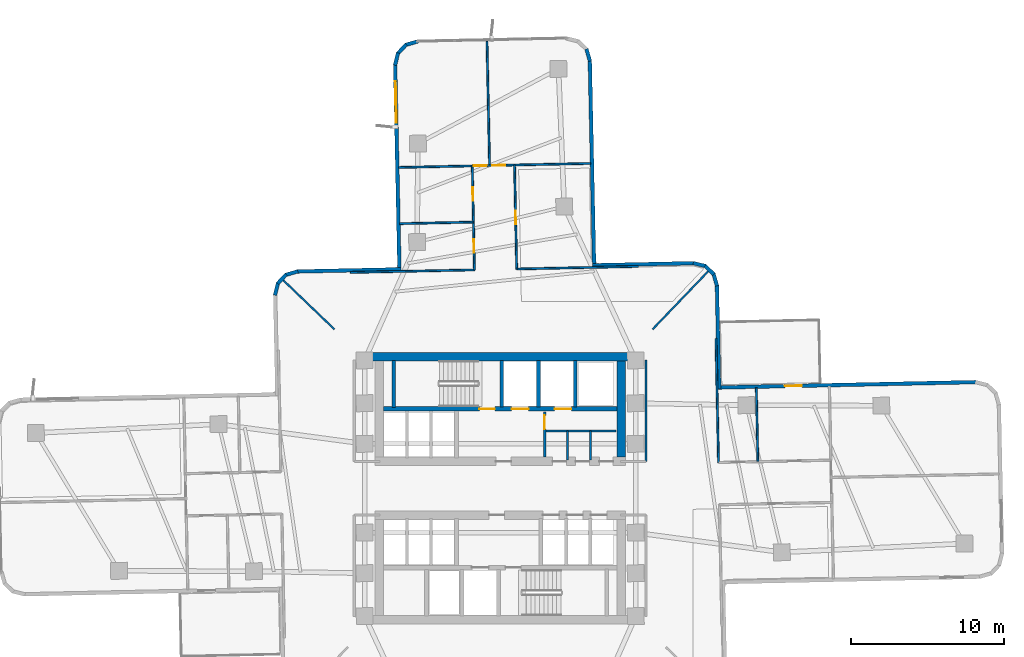
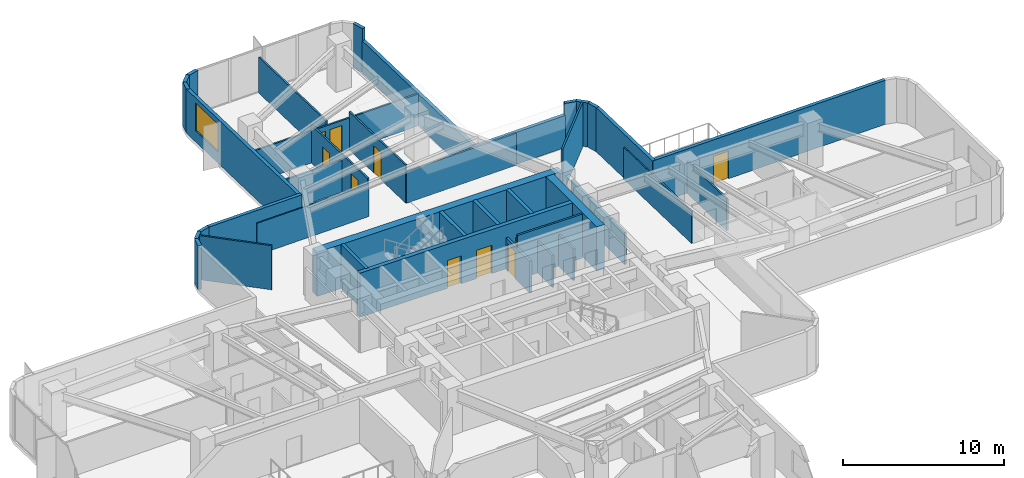
# One storey, part 10 of 15: 39 walls, 10 doors, 1 window, 11 openings.
"""IFC4 building model written with IfcOpenShell, lengths in metres."""

from ifc_helpers import new_model, si_unit, direction, frame, frame_2d, origin, place, context, subcontext, project, spatial, rectangle, extrude, material, layer, layer_set, type_object, element, fill, save


model = new_model("IFC4")

# Units and contexts
model_context = context("Model", 3, precision=1e-05, world=origin(), true_north=direction((0.0, 1.0)))
body_context = subcontext(model_context, "Body", "Model", "MODEL_VIEW")
ifc_project = project(units=[si_unit("LENGTHUNIT", "METRE"), si_unit("AREAUNIT", "SQUARE_METRE"), si_unit("VOLUMEUNIT", "CUBIC_METRE"), si_unit("PLANEANGLEUNIT", "RADIAN"), si_unit("MASSUNIT", "GRAM", prefix="KILO")], contexts=[model_context])

# Site, building, storey
site_placement = place(None, origin())
site = spatial("IfcSite", under=ifc_project, at=site_placement, CompositionType="ELEMENT")
building_placement = place(site_placement, origin())
building = spatial("IfcBuilding", under=site, at=building_placement, Name="Solmarez Civic Tower", CompositionType="ELEMENT")
storey_placement = place(building_placement, frame((0.0, 0.0, 38.8798828125)))
storey = spatial("IfcBuildingStorey", under=building, at=storey_placement, Name="L09", CompositionType="ELEMENT", Elevation=38.8798828125)

# Walls
ifc_material_1 = material(Name="Concrete C60/75", Category="concrete")
ifc_layer_1 = layer(ifc_material_1, 0.550048828125)
ifc_layer_set_1 = layer_set([ifc_layer_1], Name="Concrete C60/75")
wall_type_1 = type_object("IfcWallType", Name="WALL-CORE-550", PredefinedType="SHEAR", material=ifc_layer_set_1)
wall_1_placement = place(storey_placement, frame((-8.780029296875, 8.5849609375, 0.0), z_axis=(0.0, 0.0, 1.0), x_axis=(1.0, 0.0, 0.0)))
element("IfcWall", 1, at=wall_1_placement, inside=storey, type_object=wall_type_1, Name="L09 Split-Core Structural Wall NCW-N-L09", PredefinedType="SHEAR", context=body_context, shape_type="SweptSolid", body=[
    extrude(rectangle(XDim=17.56005859375, YDim=0.550048828125, at=frame_2d((8.780029296875, 0.0))), origin(), (0.0, 0.0, 1.0), 3.340087890625),
])
wall_2_placement = place(storey_placement, frame((7.89501953125, 8.31005859375, 0.0), z_axis=(0.0, 0.0, 1.0), x_axis=(0.0, -1.0, 0.0)))
element("IfcWall", 2, at=wall_2_placement, inside=storey, type_object=wall_type_1, Name="L09 Split-Core Structural Wall NCW-E-L09", PredefinedType="SHEAR", context=body_context, shape_type="SweptSolid", body=[
    extrude(rectangle(XDim=6.28515625, YDim=0.550048828125, at=frame_2d((3.142578125, 0.0))), origin(), (0.0, 0.0, 1.0), 3.340087890625),
])
ifc_material_2 = material(Name="Precast concrete C40/50", Category="concrete")
ifc_layer_2 = layer(ifc_material_2, 0.239990234375)
ifc_layer_set_2 = layer_set([ifc_layer_2], Name="Precast concrete C40/50")
wall_type_2 = type_object("IfcWallType", Name="WALL-EXT-240", PredefinedType="SOLIDWALL", material=ifc_layer_set_2)
wall_3_placement = place(storey_placement, frame((-14.7041015625, 12.60498046875, 0.0), z_axis=(0.0, 0.0, 1.0), x_axis=(0.238588013371, 0.971120878097, 0.0)))
element("IfcWall", 3, at=wall_3_placement, inside=storey, type_object=wall_type_2, Name="L09 Exterior Precast Wall 14", PredefinedType="SOLIDWALL", context=body_context, shape_type="SweptSolid", body=[
    extrude(rectangle(XDim=0.829833984375, YDim=0.239990234375, at=frame_2d((0.4150390625, 0.0))), origin(), (0.0, 0.0, 1.0), 3.340087890625),
])
wall_4_placement = place(storey_placement, frame((-14.529052734375, 13.368896484375, 0.0), z_axis=(0.0, 0.0, 1.0), x_axis=(0.692094379202, 0.721807017337, 0.0)))
element("IfcWall", 4, at=wall_4_placement, inside=storey, type_object=wall_type_2, Name="L09 Exterior Precast Wall 15", PredefinedType="SOLIDWALL", context=body_context, shape_type="SweptSolid", body=[
    extrude(rectangle(XDim=0.8134765625, YDim=0.239990234375, at=frame_2d((0.40673828125, 0.0))), origin(), (0.0, 0.0, 1.0), 3.340087890625),
])
wall_5_placement = place(storey_placement, frame((-14.007080078125, 13.930908203125, 0.0), z_axis=(0.0, 0.0, 1.0), x_axis=(0.960102033401, 0.279649933772, 0.0)))
element("IfcWall", 5, at=wall_5_placement, inside=storey, type_object=wall_type_2, Name="L09 Exterior Precast Wall 16", PredefinedType="SOLIDWALL", context=body_context, shape_type="SweptSolid", body=[
    extrude(rectangle(XDim=0.830322265625, YDim=0.239990234375, at=frame_2d((0.4150390625, 0.0))), origin(), (0.0, 0.0, 1.0), 3.340087890625),
])
wall_6_placement = place(storey_placement, frame((-13.259033203125, 14.155029296875, 0.0), z_axis=(0.0, 0.0, 1.0), x_axis=(0.999777124284, 0.021111649844, 0.0)))
element("IfcWall", 6, at=wall_6_placement, inside=storey, type_object=wall_type_2, Name="L09 Exterior Precast Wall 17", PredefinedType="SOLIDWALL", context=body_context, shape_type="SweptSolid", body=[
    extrude(rectangle(XDim=6.776611328125, YDim=0.239990234375, at=frame_2d((3.38818359375, 0.0))), origin(), (0.0, 0.0, 1.0), 3.340087890625),
])

# Wall, opening, window
wall_7_placement = place(storey_placement, frame((-6.577880859375, 14.199951171875, 0.0), z_axis=(0.0, 0.0, 1.0), x_axis=(-0.021016704444, 0.999779124674, 0.0)))
wall_7 = element("IfcWall", 7, at=wall_7_placement, inside=storey, type_object=wall_type_2, Name="L09 Exterior Precast Wall 20", PredefinedType="SOLIDWALL", context=body_context, shape_type="SweptSolid", body=[
    extrude(rectangle(XDim=13.47509765625, YDim=0.239990234375, at=frame_2d((6.737548828125, 0.0))), origin(), (0.0, 0.0, 1.0), 3.340087890625),
])
opening_1_placement = place(wall_7_placement, frame((9.675048828125, 0.0, 0.85009765625)))
opening_1 = element("IfcOpeningElement", 8, at=opening_1_placement, cuts=wall_7, Name="Opening W-01", PredefinedType="OPENING", context=body_context, shape_type="SweptSolid", body=[
    extrude(rectangle(XDim=2.699951171875, YDim=2.10009765625, at=frame_2d((1.35009765625, 1.050048828125))), frame((0.0, 0.1298828125, 0.0), z_axis=(0.0, -1.0, 0.0), x_axis=(1.0, 0.0, 0.0)), (0.0, 0.0, 1.0), 0.260009765625),
])
ifc_material_3 = material(Name="Solar Control Bronze-Tinted Insulating Glass", Category="glass")
window_type = type_object("IfcWindowType", Name="WIN-2700X2100", PartitioningType="SINGLE_PANEL", PredefinedType="WINDOW", material=ifc_material_3)
window_placement = place(opening_1_placement, origin())
window = element("IfcWindow", 9, at=window_placement, inside=storey, type_object=window_type, Name="L09 Exterior Facade Window 20", OverallHeight=2.10009765625, OverallWidth=2.699951171875, PartitioningType="SINGLE_PANEL", PredefinedType="WINDOW", context=body_context, shape_type="SweptSolid", body=[
    extrude(rectangle(XDim=2.699951171875, YDim=2.10009765625, at=frame_2d((1.35009765625, 1.050048828125))), frame((0.0, 0.030029296875, 0.0), z_axis=(0.0, -1.0, 0.0), x_axis=(1.0, 0.0, 0.0)), (0.0, 0.0, 1.0), 0.06005859375),
])
fill(opening_1, window)

# Walls
wall_8_placement = place(storey_placement, frame((-6.865966796875, 27.623046875, 0.0), z_axis=(0.0, 0.0, 1.0), x_axis=(0.238860968489, 0.971053776952, 0.0)))
element("IfcWall", 10, at=wall_8_placement, inside=storey, type_object=wall_type_2, Name="L09 Exterior Precast Wall 21", PredefinedType="SOLIDWALL", context=body_context, shape_type="SweptSolid", body=[
    extrude(rectangle(XDim=0.828857421875, YDim=0.239990234375, at=frame_2d((0.41455078125, 0.0))), origin(), (0.0, 0.0, 1.0), 3.340087890625),
])
wall_9_placement = place(storey_placement, frame((-6.69091796875, 28.385986328125, 0.0), z_axis=(0.0, 0.0, 1.0), x_axis=(0.690868229845, 0.722980697523, 0.0)))
element("IfcWall", 11, at=wall_9_placement, inside=storey, type_object=wall_type_2, Name="L09 Exterior Precast Wall 22", PredefinedType="SOLIDWALL", context=body_context, shape_type="SweptSolid", body=[
    extrude(rectangle(XDim=0.8134765625, YDim=0.239990234375, at=frame_2d((0.40673828125, 0.0))), origin(), (0.0, 0.0, 1.0), 3.340087890625),
])
wall_10_placement = place(storey_placement, frame((-6.169921875, 28.948974609375, 0.0), z_axis=(0.0, 0.0, 1.0), x_axis=(0.960564264415, 0.278058076541, 0.0)))
element("IfcWall", 12, at=wall_10_placement, inside=storey, type_object=wall_type_2, Name="L09 Exterior Precast Wall 23", PredefinedType="SOLIDWALL", context=body_context, shape_type="SweptSolid", body=[
    extrude(rectangle(XDim=0.83056640625, YDim=0.239990234375, at=frame_2d((0.415283203125, 0.0))), origin(), (0.0, 0.0, 1.0), 3.340087890625),
])
wall_11_placement = place(storey_placement, frame((5.632080078125, 28.68603515625, 0.0), z_axis=(0.0, 0.0, 1.0), x_axis=(0.279378838128, -0.960180954199, 0.0)))
element("IfcWall", 13, at=wall_11_placement, inside=storey, type_object=wall_type_2, Name="L09 Exterior Precast Wall 27", PredefinedType="SOLIDWALL", context=body_context, shape_type="SweptSolid", body=[
    extrude(rectangle(XDim=0.830078125, YDim=0.239990234375, at=frame_2d((0.4150390625, 0.0))), origin(), (0.0, 0.0, 1.0), 3.340087890625),
])
wall_12_placement = place(storey_placement, frame((5.85595703125, 27.93798828125, 0.0), z_axis=(0.0, 0.0, 1.0), x_axis=(0.020997453553, -0.999779529168, 0.0)))
element("IfcWall", 14, at=wall_12_placement, inside=storey, type_object=wall_type_2, Name="L09 Exterior Precast Wall 28", PredefinedType="SOLIDWALL", context=body_context, shape_type="SweptSolid", body=[
    extrude(rectangle(XDim=13.475830078125, YDim=0.239990234375, at=frame_2d((6.73779296875, 0.0))), origin(), (0.0, 0.0, 1.0), 2.421142578125),
])
wall_13_placement = place(storey_placement, frame((6.041015625, 14.55908203125, 0.0), z_axis=(0.0, 0.0, 1.0), x_axis=(0.999776327957, 0.021149327571, 0.0)))
element("IfcWall", 15, at=wall_13_placement, inside=storey, type_object=wall_type_2, Name="L09 Exterior Precast Wall 31", PredefinedType="SOLIDWALL", context=body_context, shape_type="SweptSolid", body=[
    extrude(rectangle(XDim=6.614501953125, YDim=0.239990234375, at=frame_2d((3.30712890625, 0.0))), origin(), (0.0, 0.0, 1.0), 2.421142578125),
])
wall_14_placement = place(storey_placement, frame((12.60498046875, 14.7041015625, 0.0), z_axis=(0.0, 0.0, 1.0), x_axis=(0.971120878097, -0.238588013371, 0.0)))
element("IfcWall", 16, at=wall_14_placement, inside=storey, type_object=wall_type_2, Name="L09 Exterior Precast Wall 32", PredefinedType="SOLIDWALL", context=body_context, shape_type="SweptSolid", body=[
    extrude(rectangle(XDim=0.829833984375, YDim=0.239990234375, at=frame_2d((0.4150390625, 0.0))), origin(), (0.0, 0.0, 1.0), 3.340087890625),
])
wall_15_placement = place(storey_placement, frame((13.368896484375, 14.529052734375, 0.0), z_axis=(0.0, 0.0, 1.0), x_axis=(0.721807017337, -0.692094379202, 0.0)))
element("IfcWall", 17, at=wall_15_placement, inside=storey, type_object=wall_type_2, Name="L09 Exterior Precast Wall 33", PredefinedType="SOLIDWALL", context=body_context, shape_type="SweptSolid", body=[
    extrude(rectangle(XDim=0.8134765625, YDim=0.239990234375, at=frame_2d((0.40673828125, 0.0))), origin(), (0.0, 0.0, 1.0), 3.340087890625),
])
wall_16_placement = place(storey_placement, frame((13.930908203125, 14.007080078125, 0.0), z_axis=(0.0, 0.0, 1.0), x_axis=(0.279649933772, -0.960102033401, 0.0)))
element("IfcWall", 18, at=wall_16_placement, inside=storey, type_object=wall_type_2, Name="L09 Exterior Precast Wall 34", PredefinedType="SOLIDWALL", context=body_context, shape_type="SweptSolid", body=[
    extrude(rectangle(XDim=0.830322265625, YDim=0.239990234375, at=frame_2d((0.4150390625, 0.0))), origin(), (0.0, 0.0, 1.0), 3.340087890625),
])
wall_17_placement = place(storey_placement, frame((14.155029296875, 13.259033203125, 0.0), z_axis=(0.0, 0.0, 1.0), x_axis=(0.021111649844, -0.999777124284, 0.0)))
element("IfcWall", 19, at=wall_17_placement, inside=storey, type_object=wall_type_2, Name="L09 Exterior Precast Wall 35", PredefinedType="SOLIDWALL", context=body_context, shape_type="SweptSolid", body=[
    extrude(rectangle(XDim=6.776611328125, YDim=0.239990234375, at=frame_2d((3.38818359375, 0.0))), origin(), (0.0, 0.0, 1.0), 3.340087890625),
])

# Wall, opening, door
wall_18_placement = place(storey_placement, frame((14.199951171875, 6.577880859375, 0.0), z_axis=(0.0, 0.0, 1.0), x_axis=(0.999778412505, 0.021050555542, 0.0)))
wall_18 = element("IfcWall", 20, at=wall_18_placement, inside=storey, type_object=wall_type_2, Name="L09 Exterior Precast Wall 38", PredefinedType="SOLIDWALL", context=body_context, shape_type="SweptSolid", body=[
    extrude(rectangle(XDim=16.874755859375, YDim=0.239990234375, at=frame_2d((8.4375, 0.0))), origin(), (0.0, 0.0, 1.0), 3.340087890625),
])
opening_2_placement = place(wall_18_placement, frame((4.39990234375, 0.0, 0.0)))
opening_2 = element("IfcOpeningElement", 21, at=opening_2_placement, cuts=wall_18, Name="Opening D-06", PredefinedType="OPENING", context=body_context, shape_type="SweptSolid", body=[
    extrude(rectangle(XDim=1.10009765625, YDim=2.10009765625, at=frame_2d((0.550048828125, 1.050048828125))), frame((0.0, 0.1298828125, 0.0), z_axis=(0.0, -1.0, 0.0), x_axis=(1.0, 0.0, 0.0)), (0.0, 0.0, 1.0), 0.260009765625),
])
ifc_material_4 = material(Name="Bronze Anodised Aluminium Glazed Terrace Door", Category="aluminium")
door_type_1 = type_object("IfcDoorType", Name="DOOR-TERR-1100", OperationType="NOTDEFINED", PredefinedType="DOOR", material=ifc_material_4)
door_1_placement = place(opening_2_placement, origin())
door_1 = element("IfcDoor", 22, at=door_1_placement, inside=storey, type_object=door_type_1, Name="L09 Outdoor Terrace Glazed Door", OperationType="SINGLE_SWING_RIGHT", OverallHeight=2.10009765625, OverallWidth=1.10009765625, PredefinedType="DOOR", context=body_context, shape_type="SweptSolid", body=[
    extrude(rectangle(XDim=1.10009765625, YDim=2.10009765625, at=frame_2d((0.550048828125, 1.050048828125))), frame((0.0, 0.02490234375, 0.0), z_axis=(0.0, -1.0, 0.0), x_axis=(1.0, 0.0, 0.0)), (0.0, 0.0, 1.0), 0.050048828125),
])
fill(opening_2, door_1)

# Walls
ifc_material_5 = material(Name="Gypsum Board Acoustic Steel-Stud Partition", Category="steel")
ifc_layer_3 = layer(ifc_material_5, 0.14990234375)
ifc_layer_set_3 = layer_set([ifc_layer_3], Name="Gypsum Board Acoustic Steel-Stud Partition")
wall_type_3 = type_object("IfcWallType", Name="WALL-INT-FIRE-150", PredefinedType="PARTITIONING", material=ifc_layer_set_3)
wall_19_placement = place(storey_placement, frame((9.52001953125, 1.75, 0.0), z_axis=(0.0, 0.0, 1.0), x_axis=(0.0, 1.0, 0.0)))
element("IfcWall", 23, at=wall_19_placement, inside=storey, type_object=wall_type_3, Name="L09 Interior Partition CHW-L09-EN1", PredefinedType="PARTITIONING", context=body_context, shape_type="SweptSolid", body=[
    extrude(rectangle(XDim=6.6298828125, YDim=0.14990234375, at=frame_2d((3.31494140625, 0.0))), origin(), (0.0, 0.0, 1.0), 2.421142578125),
])
ifc_layer_4 = layer(ifc_material_5, 0.1201171875)
ifc_layer_set_4 = layer_set([ifc_layer_4], Name="Gypsum Board Acoustic Steel-Stud Partition")
wall_type_4 = type_object("IfcWallType", Name="WALL-INT-PART-120", PredefinedType="PARTITIONING", material=ifc_layer_set_4)
wall_20_placement = place(storey_placement, frame((9.9541015625, 10.3798828125, 0.0), z_axis=(0.0, 0.0, 1.0), x_axis=(0.692136602063, 0.721766530178, 0.0)))
element("IfcWall", 24, at=wall_20_placement, inside=storey, type_object=wall_type_4, Name="L09 Interior Partition PT-L09-QDIV-1", PredefinedType="PARTITIONING", context=body_context, shape_type="SweptSolid", body=[
    extrude(rectangle(XDim=5.2734375, YDim=0.1201171875, at=frame_2d((2.63671875, 0.0))), origin(), (0.0, 0.0, 1.0), 3.340087890625),
])
wall_21_placement = place(storey_placement, frame((-10.823974609375, 10.3798828125, 0.0), z_axis=(0.0, 0.0, 1.0), x_axis=(-0.721757981693, 0.692145516392, 0.0)))
element("IfcWall", 25, at=wall_21_placement, inside=storey, type_object=wall_type_4, Name="L09 Interior Partition PT-L09-QDIV-2", PredefinedType="PARTITIONING", context=body_context, shape_type="SweptSolid", body=[
    extrude(rectangle(XDim=4.658203125, YDim=0.1201171875, at=frame_2d((2.3291015625, 0.0))), origin(), (0.0, 0.0, 1.0), 3.340087890625),
])
wall_22_placement = place(storey_placement, frame((14.258056640625, 1.6689453125, 0.0), z_axis=(0.0, 0.0, 1.0), x_axis=(-0.020831948152, 0.999782991422, 0.0)))
element("IfcWall", 26, at=wall_22_placement, inside=storey, type_object=wall_type_4, Name="L09 Interior Partition PT-L09-E-EFL", PredefinedType="PARTITIONING", context=body_context, shape_type="SweptSolid", body=[
    extrude(rectangle(XDim=8.10986328125, YDim=0.1201171875, at=frame_2d((4.054931640625, 0.0))), origin(), (0.0, 0.0, 1.0), 2.421142578125),
])
wall_23_placement = place(storey_placement, frame((16.826904296875, 1.7529296875, 0.0), z_axis=(0.0, 0.0, 1.0), x_axis=(-0.021027075848, 0.999778906599, 0.0)))
element("IfcWall", 27, at=wall_23_placement, inside=storey, type_object=wall_type_4, Name="L09 Interior Partition PT-L09-E-LM", PredefinedType="PARTITIONING", context=body_context, shape_type="SweptSolid", body=[
    extrude(rectangle(XDim=4.795166015625, YDim=0.1201171875, at=frame_2d((2.3974609375, 0.0))), origin(), (0.0, 0.0, 1.0), 2.421142578125),
])
wall_24_placement = place(storey_placement, frame((-1.6689453125, 14.258056640625, 0.0), z_axis=(0.0, 0.0, 1.0), x_axis=(-0.999782991422, -0.020831948152, 0.0)))
element("IfcWall", 28, at=wall_24_placement, inside=storey, type_object=wall_type_4, Name="L09 Interior Partition PT-L09-N-EFL", PredefinedType="PARTITIONING", context=body_context, shape_type="SweptSolid", body=[
    extrude(rectangle(XDim=8.10986328125, YDim=0.1201171875, at=frame_2d((4.054931640625, 0.0))), origin(), (0.0, 0.0, 1.0), 2.421142578125),
])
wall_25_placement = place(storey_placement, frame((9.01806640625, 14.48193359375, 0.0), z_axis=(0.0, 0.0, 1.0), x_axis=(-0.999781922757, -0.020883173321, 0.0)))
element("IfcWall", 29, at=wall_25_placement, inside=storey, type_object=wall_type_4, Name="L09 Interior Partition PT-L09-N-EFR", PredefinedType="PARTITIONING", context=body_context, shape_type="SweptSolid", body=[
    extrude(rectangle(XDim=7.94970703125, YDim=0.1201171875, at=frame_2d((3.974853515625, 0.0))), origin(), (0.0, 0.0, 1.0), 2.421142578125),
])
wall_26_placement = place(storey_placement, frame((-1.763916015625, 17.376953125, 0.0), z_axis=(0.0, 0.0, 1.0), x_axis=(-0.99977783499, -0.021077966272, 0.0)))
element("IfcWall", 30, at=wall_26_placement, inside=storey, type_object=wall_type_4, Name="L09 Interior Partition PT-L09-N-LM", PredefinedType="PARTITIONING", context=body_context, shape_type="SweptSolid", body=[
    extrude(rectangle(XDim=4.795166015625, YDim=0.1201171875, at=frame_2d((2.3974609375, 0.0))), origin(), (0.0, 0.0, 1.0), 2.421142578125),
])

# Wall, openings, doors
wall_27_placement = place(storey_placement, frame((-1.821044921875, 21.0458984375, 0.0), z_axis=(0.0, 0.0, 1.0), x_axis=(0.020928408033, -0.999780976883, 0.0)))
wall_27 = element("IfcWall", 31, at=wall_27_placement, inside=storey, type_object=wall_type_4, Name="L09 Interior Partition PT-L09-N-SL", PredefinedType="PARTITIONING", context=body_context, shape_type="SweptSolid", body=[
    extrude(rectangle(XDim=6.789306640625, YDim=0.1201171875, at=frame_2d((3.39453125, 0.0))), origin(), (0.0, 0.0, 1.0), 2.869140625),
])
opening_3_placement = place(wall_27_placement, frame((4.799072265625, 0.0, 0.0)))
opening_3 = element("IfcOpeningElement", 32, at=opening_3_placement, cuts=wall_27, Name="Opening D-14", PredefinedType="OPENING", context=body_context, shape_type="SweptSolid", body=[
    extrude(rectangle(XDim=0.860107421875, YDim=2.0400390625, at=frame_2d((0.43017578125, 1.02001953125))), frame((0.0, 0.070068359375, 0.0), z_axis=(0.0, -1.0, 0.0), x_axis=(1.0, 0.0, 0.0)), (0.0, 0.0, 1.0), 0.14013671875),
])
opening_4_placement = place(wall_27_placement, frame((1.404052734375, 0.0, 0.0)))
opening_4 = element("IfcOpeningElement", 33, at=opening_4_placement, cuts=wall_27, Name="Opening D-14", PredefinedType="OPENING", context=body_context, shape_type="SweptSolid", body=[
    extrude(rectangle(XDim=0.860107421875, YDim=2.0400390625, at=frame_2d((0.43017578125, 1.02001953125))), frame((0.0, 0.070068359375, 0.0), z_axis=(0.0, -1.0, 0.0), x_axis=(1.0, 0.0, 0.0)), (0.0, 0.0, 1.0), 0.14013671875),
])
ifc_material_6 = material(Name="Timber Storage and Pantry Door", Category="wood")
door_type_2 = type_object("IfcDoorType", Name="DOOR-INT-850", OperationType="NOTDEFINED", PredefinedType="DOOR", material=ifc_material_6)
door_2_placement = place(opening_3_placement, origin())
door_2 = element("IfcDoor", 34, at=door_2_placement, inside=storey, type_object=door_type_2, Name="L09 Civic Training Classroom First North Door", OperationType="SINGLE_SWING_LEFT", OverallHeight=2.0400390625, OverallWidth=0.860107421875, PredefinedType="DOOR", context=body_context, shape_type="SweptSolid", body=[
    extrude(rectangle(XDim=0.860107421875, YDim=2.0400390625, at=frame_2d((0.43017578125, 1.02001953125))), frame((0.0, 0.02490234375, 0.0), z_axis=(0.0, -1.0, 0.0), x_axis=(1.0, 0.0, 0.0)), (0.0, 0.0, 1.0), 0.050048828125),
])
fill(opening_3, door_2)
door_3_placement = place(opening_4_placement, origin())
door_3 = element("IfcDoor", 35, at=door_3_placement, inside=storey, type_object=door_type_2, Name="L09 Delegates Sitting Lounge Second North Door", OperationType="SINGLE_SWING_RIGHT", OverallHeight=2.0400390625, OverallWidth=0.860107421875, PredefinedType="DOOR", context=body_context, shape_type="SweptSolid", body=[
    extrude(rectangle(XDim=0.860107421875, YDim=2.0400390625, at=frame_2d((0.43017578125, 1.02001953125))), frame((0.0, 0.02490234375, 0.0), z_axis=(0.0, -1.0, 0.0), x_axis=(1.0, 0.0, 0.0)), (0.0, 0.0, 1.0), 0.050048828125),
])
fill(opening_4, door_3)

# Wall, opening, door
wall_28_placement = place(storey_placement, frame((1.080078125, 14.31591796875, 0.0), z_axis=(0.0, 0.0, 1.0), x_axis=(-0.020927655651, 0.999780992632, 0.0)))
wall_28 = element("IfcWall", 36, at=wall_28_placement, inside=storey, type_object=wall_type_4, Name="L09 Interior Partition PT-L09-N-SR", PredefinedType="PARTITIONING", context=body_context, shape_type="SweptSolid", body=[
    extrude(rectangle(XDim=6.78955078125, YDim=0.1201171875, at=frame_2d((3.394775390625, 0.0))), origin(), (0.0, 0.0, 1.0), 2.869140625),
])
opening_5_placement = place(wall_28_placement, frame((2.9150390625, 0.0, 0.0)))
opening_5 = element("IfcOpeningElement", 37, at=opening_5_placement, cuts=wall_28, Name="Opening D-08", PredefinedType="OPENING", context=body_context, shape_type="SweptSolid", body=[
    extrude(rectangle(XDim=0.89990234375, YDim=2.06005859375, at=frame_2d((0.449951171875, 1.030029296875))), frame((0.0, 0.070068359375, 0.0), z_axis=(0.0, -1.0, 0.0), x_axis=(1.0, 0.0, 0.0)), (0.0, 0.0, 1.0), 0.14013671875),
])
ifc_material_7 = material(Name="Solid-Core Timber Office Door", Category="wood")
door_type_3 = type_object("IfcDoorType", Name="DOOR-INT-900", OperationType="NOTDEFINED", PredefinedType="DOOR", material=ifc_material_7)
door_4_placement = place(opening_5_placement, origin())
door_4 = element("IfcDoor", 38, at=door_4_placement, inside=storey, type_object=door_type_3, Name="L09 Public Reception Room Third North Door", OperationType="SINGLE_SWING_RIGHT", OverallHeight=2.06005859375, OverallWidth=0.89990234375, PredefinedType="DOOR", context=body_context, shape_type="SweptSolid", body=[
    extrude(rectangle(XDim=0.89990234375, YDim=2.06005859375, at=frame_2d((0.449951171875, 1.030029296875))), frame((0.0, 0.02490234375, 0.0), z_axis=(0.0, -1.0, 0.0), x_axis=(1.0, 0.0, 0.0)), (0.0, 0.0, 1.0), 0.050048828125),
])
fill(opening_5, door_4)

# Wall
wall_29_placement = place(storey_placement, frame((-0.693115234375, 21.1298828125, 0.0), z_axis=(0.0, 0.0, 1.0), x_axis=(-0.020852798128, 0.999782556764, 0.0)))
element("IfcWall", 39, at=wall_29_placement, inside=storey, type_object=wall_type_4, Name="L09 Interior Partition PT-L09-N-TM", PredefinedType="PARTITIONING", context=body_context, shape_type="SweptSolid", body=[
    extrude(rectangle(XDim=8.054931640625, YDim=0.1201171875, at=frame_2d((4.02734375, 0.0))), origin(), (0.0, 0.0, 1.0), 2.72021484375),
])

# Wall, openings, doors
wall_30_placement = place(storey_placement, frame((-6.635009765625, 20.946044921875, 0.0), z_axis=(0.0, 0.0, 1.0), x_axis=(0.999780491948, 0.020951561299, 0.0)))
wall_30 = element("IfcWall", 40, at=wall_30_placement, inside=storey, type_object=wall_type_4, Name="L09 Interior Partition PT-L09-N-END", PredefinedType="PARTITIONING", context=body_context, shape_type="SweptSolid", body=[
    extrude(rectangle(XDim=12.5498046875, YDim=0.1201171875, at=frame_2d((6.27490234375, 0.0))), origin(), (0.0, 0.0, 1.0), 2.421142578125),
])
opening_6_placement = place(wall_30_placement, frame((6.114990234375, 0.0, 0.0)))
opening_6 = element("IfcOpeningElement", 41, at=opening_6_placement, cuts=wall_30, Name="Opening D-14", PredefinedType="OPENING", context=body_context, shape_type="SweptSolid", body=[
    extrude(rectangle(XDim=0.860107421875, YDim=2.0400390625, at=frame_2d((0.43017578125, 1.02001953125))), frame((0.0, 0.070068359375, 0.0), z_axis=(0.0, -1.0, 0.0), x_axis=(1.0, 0.0, 0.0)), (0.0, 0.0, 1.0), 0.14013671875),
])
opening_7_placement = place(wall_30_placement, frame((4.9150390625, 0.0, 0.0)))
opening_7 = element("IfcOpeningElement", 42, at=opening_7_placement, cuts=wall_30, Name="Opening D-14", PredefinedType="OPENING", context=body_context, shape_type="SweptSolid", body=[
    extrude(rectangle(XDim=0.860107421875, YDim=2.0400390625, at=frame_2d((0.43017578125, 1.02001953125))), frame((0.0, 0.070068359375, 0.0), z_axis=(0.0, -1.0, 0.0), x_axis=(1.0, 0.0, 0.0)), (0.0, 0.0, 1.0), 0.14013671875),
])
door_5_placement = place(opening_6_placement, origin())
door_5 = element("IfcDoor", 43, at=door_5_placement, inside=storey, type_object=door_type_2, Name="L09 Legislative Seminar Room Sixth North Door", OperationType="SINGLE_SWING_RIGHT", OverallHeight=2.0400390625, OverallWidth=0.860107421875, PredefinedType="DOOR", context=body_context, shape_type="SweptSolid", body=[
    extrude(rectangle(XDim=0.860107421875, YDim=2.0400390625, at=frame_2d((0.43017578125, 1.02001953125))), frame((0.0, 0.02490234375, 0.0), z_axis=(0.0, -1.0, 0.0), x_axis=(1.0, 0.0, 0.0)), (0.0, 0.0, 1.0), 0.050048828125),
])
fill(opening_6, door_5)
door_6_placement = place(opening_7_placement, origin())
door_6 = element("IfcDoor", 44, at=door_6_placement, inside=storey, type_object=door_type_2, Name="L09 Public Reception Room Fifth North Door", OperationType="SINGLE_SWING_LEFT", OverallHeight=2.0400390625, OverallWidth=0.860107421875, PredefinedType="DOOR", context=body_context, shape_type="SweptSolid", body=[
    extrude(rectangle(XDim=0.860107421875, YDim=2.0400390625, at=frame_2d((0.43017578125, 1.02001953125))), frame((0.0, 0.02490234375, 0.0), z_axis=(0.0, -1.0, 0.0), x_axis=(1.0, 0.0, 0.0)), (0.0, 0.0, 1.0), 0.050048828125),
])
fill(opening_7, door_6)

# Wall, opening, door
ifc_layer_5 = layer(ifc_material_5, 0.159912109375)
ifc_layer_set_5 = layer_set([ifc_layer_5], Name="Gypsum Board Acoustic Steel-Stud Partition")
wall_type_5 = type_object("IfcWallType", Name="WALL-INT-SHAFT-160", PredefinedType="PARTITIONING", material=ifc_layer_set_5)
wall_31_placement = place(storey_placement, frame((2.89990234375, 2.0400390625, 0.0), z_axis=(0.0, 0.0, 1.0), x_axis=(0.0, 1.0, 0.0)))
wall_31 = element("IfcWall", 45, at=wall_31_placement, inside=storey, type_object=wall_type_5, Name="L09 Interior Partition SHW-NL2-L09", PredefinedType="PARTITIONING", context=body_context, shape_type="SweptSolid", body=[
    extrude(rectangle(XDim=2.93994140625, YDim=0.159912109375, at=frame_2d((1.469970703125, 0.0))), origin(), (0.0, 0.0, 1.0), 2.405029296875),
])
opening_8_placement = place(wall_31_placement, frame((1.820068359375, 0.0, 0.0)))
opening_8 = element("IfcOpeningElement", 46, at=opening_8_placement, cuts=wall_31, Name="Opening D-09", PredefinedType="OPENING", context=body_context, shape_type="SweptSolid", body=[
    extrude(rectangle(XDim=0.89990234375, YDim=2.06005859375, at=frame_2d((0.449951171875, 1.030029296875))), frame((0.0, 0.08984375, 0.0), z_axis=(0.0, -1.0, 0.0), x_axis=(1.0, 0.0, 0.0)), (0.0, 0.0, 1.0), 0.179931640625),
])
ifc_material_8 = material(Name="Fire-Rated Service Core Door", Category="wood")
door_type_4 = type_object("IfcDoorType", Name="DOOR-FD60-900", OperationType="NOTDEFINED", PredefinedType="DOOR", material=ifc_material_8)
door_7_placement = place(opening_8_placement, origin())
door_7 = element("IfcDoor", 47, at=door_7_placement, inside=storey, type_object=door_type_4, Name="L09 Service Lift Lobby Door", OperationType="SINGLE_SWING_LEFT", OverallHeight=2.06005859375, OverallWidth=0.89990234375, PredefinedType="DOOR", context=body_context, shape_type="SweptSolid", body=[
    extrude(rectangle(XDim=0.89990234375, YDim=2.06005859375, at=frame_2d((0.449951171875, 1.030029296875))), frame((0.0, 0.02490234375, 0.0), z_axis=(0.0, -1.0, 0.0), x_axis=(1.0, 0.0, 0.0)), (0.0, 0.0, 1.0), 0.050048828125),
])
fill(opening_8, door_7)

# Walls
ifc_layer_6 = layer(ifc_material_5, 0.137939453125)
ifc_layer_set_6 = layer_set([ifc_layer_6], Name="Gypsum Board Acoustic Steel-Stud Partition")
wall_type_6 = type_object("IfcWallType", Name="WALL-INT-WET-140", PredefinedType="PARTITIONING", material=ifc_layer_set_6)
wall_32_placement = place(storey_placement, frame((2.89990234375, 3.739990234375, 0.0), z_axis=(0.0, 0.0, 1.0), x_axis=(1.0, 0.0, 0.0)))
element("IfcWall", 48, at=wall_32_placement, inside=storey, type_object=wall_type_6, Name="L09 Interior Partition SHW-SVH-L09", PredefinedType="PARTITIONING", context=body_context, shape_type="SweptSolid", body=[
    extrude(rectangle(XDim=4.650146484375, YDim=0.137939453125, at=frame_2d((2.3251953125, 0.0))), origin(), (0.0, 0.0, 1.0), 3.340087890625),
])
for number, where, z_axis, x_axis, name in (
    (49, (4.39990234375, 1.85009765625, 0.0), (0.0, 0.0, 1.0), (0.0, 1.0, 0.0), "L09 Interior Partition PT-NCSV1-L09"),
    (50, (5.89990234375, 1.85009765625, 0.0), (0.0, 0.0, 1.0), (0.0, 1.0, 0.0), "L09 Interior Partition PT-NCSV2-L09"),
):
    element("IfcWall", number, at=place(storey_placement, frame(where, z_axis=z_axis, x_axis=x_axis)), inside=storey, type_object=wall_type_6, Name=name, PredefinedType="PARTITIONING", context=body_context, shape_type="SweptSolid", body=[
        extrude(rectangle(XDim=1.889892578125, YDim=0.137939453125, at=frame_2d((0.94482421875, 0.0))), origin(), (0.0, 0.0, 1.0), 2.405029296875),
    ])

# Wall, openings, doors
ifc_material_9 = material(Name="Concrete C50/60", Category="concrete")
ifc_layer_7 = layer(ifc_material_9, 0.300048828125)
ifc_layer_set_7 = layer_set([ifc_layer_7], Name="Concrete C50/60")
wall_type_7 = type_object("IfcWallType", Name="WALL-STR-300", PredefinedType="SOLIDWALL", material=ifc_layer_set_7)
wall_33_placement = place(storey_placement, frame((7.6201171875, 5.179931640625, 0.0), z_axis=(0.0, 0.0, 1.0), x_axis=(-1.0, 0.0, 0.0)))
wall_33 = element("IfcWall", 51, at=wall_33_placement, inside=storey, type_object=wall_type_7, Name="L09 Split-Core Structural Wall NCW-M-L09", PredefinedType="SOLIDWALL", context=body_context, shape_type="SweptSolid", body=[
    extrude(rectangle(XDim=15.240234375, YDim=0.300048828125, at=frame_2d((7.6201171875, 0.0))), origin(), (0.0, 0.0, 1.0), 3.340087890625),
])
opening_9_placement = place(wall_33_placement, frame((5.77001953125, 0.0, 0.0)))
opening_9 = element("IfcOpeningElement", 52, at=opening_9_placement, cuts=wall_33, Name="Opening LD-02", PredefinedType="OPENING", context=body_context, shape_type="SweptSolid", body=[
    extrude(rectangle(XDim=1.10009765625, YDim=2.14990234375, at=frame_2d((0.550048828125, 1.074951171875))), frame((0.0, 0.159912109375, 0.0), z_axis=(0.0, -1.0, 0.0), x_axis=(1.0, 0.0, 0.0)), (0.0, 0.0, 1.0), 0.320068359375),
])
opening_10_placement = place(wall_33_placement, frame((2.969970703125, 0.0, 0.0)))
opening_10 = element("IfcOpeningElement", 53, at=opening_10_placement, cuts=wall_33, Name="Opening LD-03", PredefinedType="OPENING", context=body_context, shape_type="SweptSolid", body=[
    extrude(rectangle(XDim=1.10009765625, YDim=2.14990234375, at=frame_2d((0.550048828125, 1.074951171875))), frame((0.0, 0.159912109375, 0.0), z_axis=(0.0, -1.0, 0.0), x_axis=(1.0, 0.0, 0.0)), (0.0, 0.0, 1.0), 0.320068359375),
])
opening_11_placement = place(wall_33_placement, frame((7.969970703125, 0.0, 0.0)))
opening_11 = element("IfcOpeningElement", 54, at=opening_11_placement, cuts=wall_33, Name="Opening D-05", PredefinedType="OPENING", context=body_context, shape_type="SweptSolid", body=[
    extrude(rectangle(XDim=1.0, YDim=2.10009765625, at=frame_2d((0.5, 1.050048828125))), frame((0.0, 0.159912109375, 0.0), z_axis=(0.0, -1.0, 0.0), x_axis=(1.0, 0.0, 0.0)), (0.0, 0.0, 1.0), 0.320068359375),
])
ifc_material_10 = material(Name="Fire-Rated Stairwell Exit Door", Category="wood")
door_type_5 = type_object("IfcDoorType", Name="DOOR-FD90-1000", OperationType="NOTDEFINED", PredefinedType="DOOR", material=ifc_material_10)
door_8_placement = place(opening_11_placement, origin())
door_8 = element("IfcDoor", 55, at=door_8_placement, inside=storey, type_object=door_type_5, Name="L09 North Exit Stair Door ST-1", OperationType="SINGLE_SWING_RIGHT", OverallHeight=2.10009765625, OverallWidth=1.0, PredefinedType="DOOR", context=body_context, shape_type="SweptSolid", body=[
    extrude(rectangle(XDim=1.0, YDim=2.10009765625, at=frame_2d((0.5, 1.050048828125))), frame((0.0, 0.02490234375, 0.0), z_axis=(0.0, -1.0, 0.0), x_axis=(1.0, 0.0, 0.0)), (0.0, 0.0, 1.0), 0.050048828125),
])
fill(opening_11, door_8)
ifc_material_11 = material(Name="Stainless Firefighting Lift Landing Sliding Door", Category="aluminium")
door_type_6 = type_object("IfcDoorType", Name="DOOR-LD-FF-1100", OperationType="DOUBLE_DOOR_SLIDING", PredefinedType="DOOR", material=ifc_material_11)
door_9_placement = place(opening_9_placement, origin())
door_9 = element("IfcDoor", 56, at=door_9_placement, inside=storey, type_object=door_type_6, Name="L09 Firefighting Lift Landing Door FFL-1", OperationType="DOUBLE_DOOR_SLIDING", OverallHeight=2.14990234375, OverallWidth=1.10009765625, PredefinedType="DOOR", context=body_context, shape_type="SweptSolid", body=[
    extrude(rectangle(XDim=1.10009765625, YDim=2.14990234375, at=frame_2d((0.550048828125, 1.074951171875))), frame((0.0, 0.02490234375, 0.0), z_axis=(0.0, -1.0, 0.0), x_axis=(1.0, 0.0, 0.0)), (0.0, 0.0, 1.0), 0.050048828125),
])
fill(opening_9, door_9)
ifc_material_12 = material(Name="Stainless Stretcher Lift Landing Sliding Door", Category="aluminium")
door_type_7 = type_object("IfcDoorType", Name="DOOR-LD-SV-1100", OperationType="DOUBLE_DOOR_SLIDING", PredefinedType="DOOR", material=ifc_material_12)
door_10_placement = place(opening_10_placement, origin())
door_10 = element("IfcDoor", 57, at=door_10_placement, inside=storey, type_object=door_type_7, Name="L09 Service Stretcher Lift Landing Door SVL-1", OperationType="DOUBLE_DOOR_SLIDING", OverallHeight=2.14990234375, OverallWidth=1.10009765625, PredefinedType="DOOR", context=body_context, shape_type="SweptSolid", body=[
    extrude(rectangle(XDim=1.10009765625, YDim=2.14990234375, at=frame_2d((0.550048828125, 1.074951171875))), frame((0.0, 0.02490234375, 0.0), z_axis=(0.0, -1.0, 0.0), x_axis=(1.0, 0.0, 0.0)), (0.0, 0.0, 1.0), 0.050048828125),
])
fill(opening_10, door_10)

# Walls
wall_34_placement = place(storey_placement, frame((-6.949951171875, 5.280029296875, 0.0), z_axis=(0.0, 0.0, 1.0), x_axis=(0.0, 1.0, 0.0)))
element("IfcWall", 58, at=wall_34_placement, inside=storey, type_object=wall_type_7, Name="L09 Split-Core Structural Wall SHW-NW-L09", PredefinedType="SOLIDWALL", context=body_context, shape_type="SweptSolid", body=[
    extrude(rectangle(XDim=3.06005859375, YDim=0.219970703125, at=frame_2d((1.530029296875, 0.0))), origin(), (0.0, 0.0, 1.0), 3.340087890625),
])
for number, where, z_axis, x_axis, name in (
    (59, (0.10009765625, 5.300048828125, 0.0), (0.0, 0.0, 1.0), (0.0, 1.0, 0.0), "L09 Split-Core Structural Wall SHW-N1-L09"),
    (60, (2.5, 5.300048828125, 0.0), (0.0, 0.0, 1.0), (0.0, 1.0, 0.0), "L09 Split-Core Structural Wall SHW-N2-L09"),
    (61, (4.89990234375, 5.300048828125, 0.0), (0.0, 0.0, 1.0), (0.0, 1.0, 0.0), "L09 Split-Core Structural Wall SHW-N3-L09"),
):
    element("IfcWall", number, at=place(storey_placement, frame(where, z_axis=z_axis, x_axis=x_axis)), inside=storey, type_object=wall_type_7, Name=name, PredefinedType="SOLIDWALL", context=body_context, shape_type="SweptSolid", body=[
        extrude(rectangle(XDim=3.0400390625, YDim=0.25, at=frame_2d((1.52001953125, 0.0))), origin(), (0.0, 0.0, 1.0), 3.340087890625),
    ])

save(model, "model.ifc")
